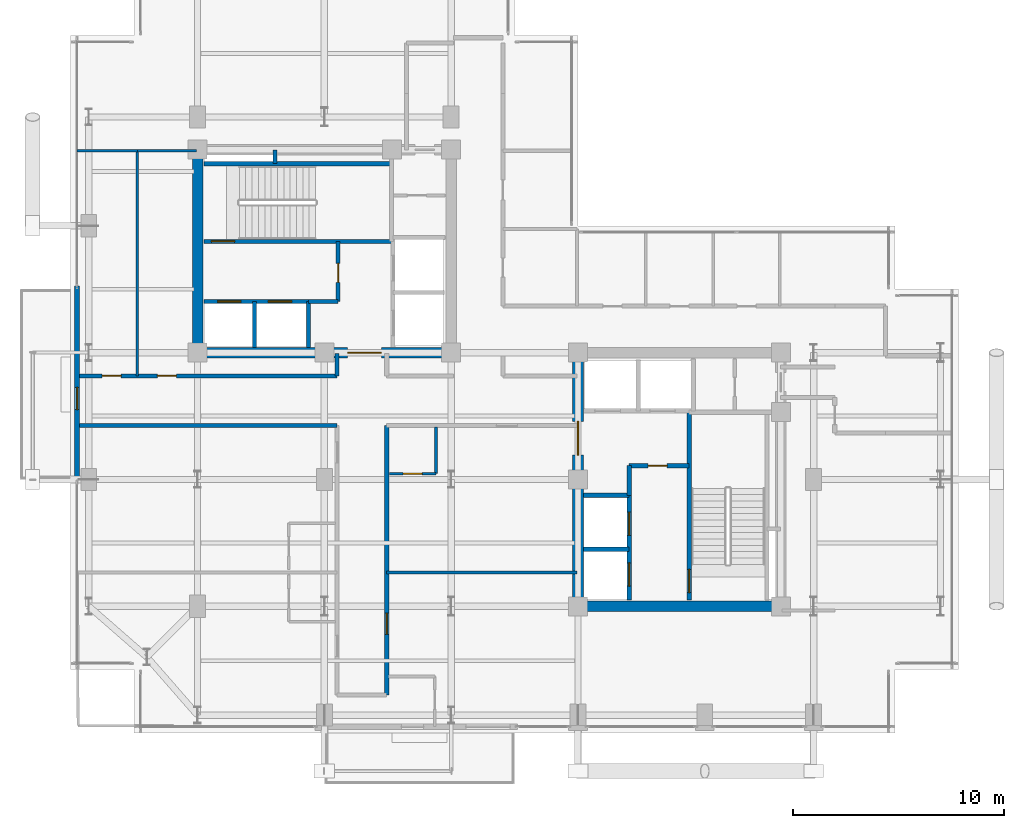
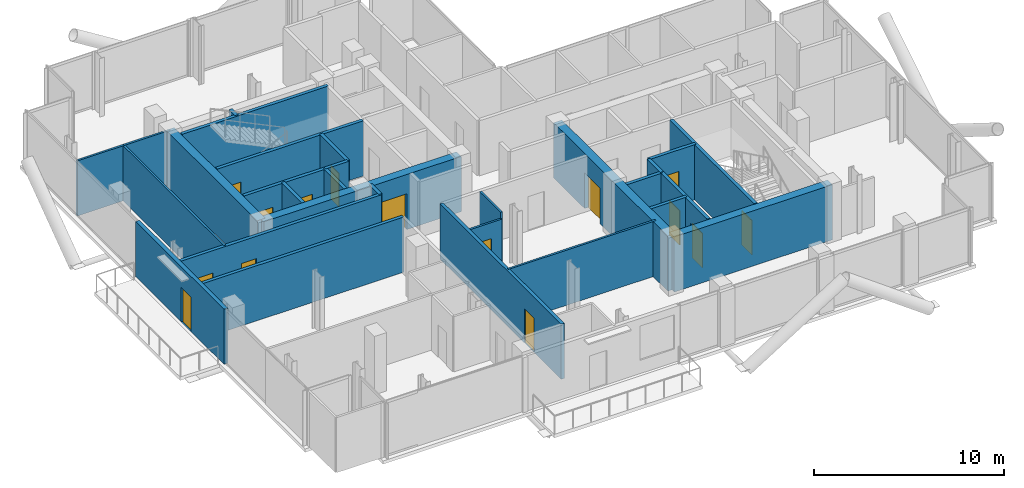
# One storey, part 17 of 21: 29 walls, 15 doors, 15 openings.
"""IFC4 building model written with IfcOpenShell, lengths in metres."""

import ifcopenshell
import ifcopenshell.guid

model = None  # the IFC model being written
_history = None  # IfcOwnerHistory: only IFC2X3 demands one
_inside = {}  # id of a spatial element -> (the spatial element, [elements in it])
_under = {}  # id of a project, library or spatial element -> (it, [spatial elements below it])
_declared = {}  # id of a project -> (the project, [libraries it declares])
_typed = {}  # id of a type object -> (the type object, [elements of that type])
_made_of = {}  # id of a material, layer set ... -> (it, [elements and type objects made of it])


def new_model(schema):
    """Start an empty IFC model of exactly this schema.

    Asked for "IFC4X3", IfcOpenShell would pick the latest addendum, in which some entities
    have other attributes; the version numbers below select the first issue.
    IFC2X3 requires an IfcOwnerHistory on every rooted entity: one is made here for all.
    """
    global model, _history
    if schema == "IFC4X3":
        model = ifcopenshell.file(schema_version=(4, 3, 0, 0))
    else:
        model = ifcopenshell.file(schema=schema)
    _inside.clear()
    _under.clear()
    _declared.clear()
    _typed.clear()
    _made_of.clear()
    _history = None
    if model.schema == "IFC2X3":
        org = make("IfcOrganization", Name="unknown")
        user = make(
            "IfcPersonAndOrganization",
            ThePerson=make("IfcPerson", FamilyName="unknown"),
            TheOrganization=org,
        )
        app = make(
            "IfcApplication",
            ApplicationDeveloper=org,
            Version="unknown",
            ApplicationFullName="unknown",
            ApplicationIdentifier="unknown",
        )
        _history = make(
            "IfcOwnerHistory",
            OwningUser=user,
            OwningApplication=app,
            ChangeAction="ADDED",
            CreationDate=0,
        )
    return model


def make(cls, **values):
    """One entity of the class cls with the attributes given. An attribute that is None is left unset."""
    return model.create_entity(
        cls, **{name: value for name, value in values.items() if value is not None}
    )


def rooted(cls, **values):
    """An entity with a GlobalId (a new one), such as an element, a storey or a relation."""
    return make(cls, GlobalId=ifcopenshell.guid.new(), OwnerHistory=_history, **values)


def si_unit(unit_type, name, prefix=None):
    """IfcSIUnit, for example si_unit("LENGTHUNIT", "METRE", prefix="MILLI")."""
    return make("IfcSIUnit", UnitType=unit_type, Prefix=prefix, Name=name)


def assignment(units):
    """IfcUnitAssignment: the units of a project."""
    return None if units is None else make("IfcUnitAssignment", Units=units)


def point(xyz):
    """IfcCartesianPoint."""
    return None if xyz is None else make("IfcCartesianPoint", Coordinates=xyz)


def direction(xyz):
    """IfcDirection."""
    return None if xyz is None else make("IfcDirection", DirectionRatios=xyz)


def frame(location, z_axis=None, x_axis=None):
    """IfcAxis2Placement3D, a coordinate frame: its origin and axes. An axis left out is left unset."""
    return make(
        "IfcAxis2Placement3D",
        Location=point(location),
        Axis=direction(z_axis),
        RefDirection=direction(x_axis),
    )


def frame_2d(location, x_axis=None):
    """IfcAxis2Placement2D, a coordinate frame in the plane: its origin and x axis."""
    return make(
        "IfcAxis2Placement2D", Location=point(location), RefDirection=direction(x_axis)
    )


def origin():
    """The frame at (0, 0, 0) with its axes left unset."""
    return frame((0.0, 0.0, 0.0))


def place(relative_to, where):
    """IfcLocalPlacement: puts the frame where relative to a parent placement (None: the world)."""
    return make(
        "IfcLocalPlacement", PlacementRelTo=relative_to, RelativePlacement=where
    )


def context(
    kind, dimensions, precision=None, world=None, true_north=None, identifier=None
):
    """IfcGeometricRepresentationContext, for example the 3D "Model" context."""
    return make(
        "IfcGeometricRepresentationContext",
        ContextIdentifier=identifier,
        ContextType=kind,
        CoordinateSpaceDimension=dimensions,
        Precision=precision,
        WorldCoordinateSystem=world,
        TrueNorth=true_north,
    )


def subcontext(parent, identifier, kind, view, scale=None):
    """IfcGeometricRepresentationSubContext, for example "Body" below "Model"."""
    return make(
        "IfcGeometricRepresentationSubContext",
        ContextIdentifier=identifier,
        ContextType=kind,
        ParentContext=parent,
        TargetScale=scale,
        TargetView=view,
    )


def project(units=None, contexts=None):
    """IfcProject with its units and contexts."""
    return rooted(
        "IfcProject",
        Name="project",
        RepresentationContexts=contexts,
        UnitsInContext=assignment(units),
    )


def spatial(cls, under=None, at=None, **own):
    """A site, building, storey or space (cls), placed at a placement, below another one or the project."""
    s = rooted(cls, ObjectPlacement=at, **own)
    if under is not None:
        _under.setdefault(under.id(), (under, []))[1].append(s)
    return s


def profile(cls, at=None, kind="AREA", **sizes):
    """A parametric profile (cls). Its sizes go by their IFC names, for example OverallWidth=200.0."""
    return make(cls, ProfileType=kind, Position=at, **sizes)


def rectangle(**sizes):
    """IfcRectangleProfileDef."""
    return profile("IfcRectangleProfileDef", **sizes)


def extrude(swept, where, along, depth):
    """IfcExtrudedAreaSolid: the profile swept, set in the frame where, extruded along a direction by depth."""
    return make(
        "IfcExtrudedAreaSolid",
        SweptArea=swept,
        Position=where,
        ExtrudedDirection=direction(along),
        Depth=depth,
    )


def shape(context_of_items, identifier, shape_type, items):
    """IfcShapeRepresentation: the items that make up one representation, for example the "Body"."""
    return make(
        "IfcShapeRepresentation",
        ContextOfItems=context_of_items,
        RepresentationIdentifier=identifier,
        RepresentationType=shape_type,
        Items=items,
    )


def material(Name=None, Category=None):
    """IfcMaterial."""
    return make("IfcMaterial", Name=Name, Category=Category)


def layer(
    of_material, thickness, ventilated=None, Name=None, Category=None, Priority=None
):
    """IfcMaterialLayer: one layer of a wall or slab, of a material (None: an air gap)."""
    return make(
        "IfcMaterialLayer",
        Material=of_material,
        LayerThickness=thickness,
        IsVentilated=ventilated,
        Name=Name,
        Category=Category,
        Priority=Priority,
    )


def layer_set(layers, Name=None):
    """IfcMaterialLayerSet."""
    return make("IfcMaterialLayerSet", MaterialLayers=layers, LayerSetName=Name)


def made_of(thing, what):
    """Note that an element or type object is made of a material, layer set ...; save() writes the relation."""
    if what is not None:
        _made_of.setdefault(what.id(), (what, []))[1].append(thing)
    return thing


def type_object(cls, material=None, **own):
    """A type object (cls), such as IfcWallType, which elements share."""
    return made_of(rooted(cls, **own), material)


def element(
    cls,
    number,
    at=None,
    inside=None,
    cuts=None,
    type_object=None,
    material=None,
    context=None,
    identifier="Body",
    shape_type=None,
    held_by="IfcProductDefinitionShape",
    body=None,
    shapes=None,
    **own,
):
    """One element of the class cls, such as IfcWall. Its Tag is "e" and its number.

    at: its placement. inside: the storey or other place that contains it. cuts: it is an
    opening in that element (IfcRelVoidsElement). A single representation is given by context,
    identifier, shape_type and body (its items); several are given by shapes. held_by: the class
    of the entity that holds the representations. save() writes the other relations.
    """
    e = rooted(cls, Tag="e%d" % number, ObjectPlacement=at, **own)
    if body is not None:
        shapes = [shape(context, identifier, shape_type, body)]
    if shapes is not None:
        e.Representation = make(held_by, Representations=shapes)
    if inside is not None:
        _inside.setdefault(inside.id(), (inside, []))[1].append(e)
    if cuts is not None:
        rooted(
            "IfcRelVoidsElement", RelatingBuildingElement=cuts, RelatedOpeningElement=e
        )
    if type_object is not None:
        _typed.setdefault(type_object.id(), (type_object, []))[1].append(e)
    return made_of(e, material)


def fill(opening, filler):
    """IfcRelFillsElement: the door or window that sits in an opening."""
    return rooted(
        "IfcRelFillsElement",
        RelatingOpeningElement=opening,
        RelatedBuildingElement=filler,
    )


def aggregate(whole, parts):
    """IfcRelAggregates: a whole, such as a stair, and the parts it consists of."""
    return rooted("IfcRelAggregates", RelatingObject=whole, RelatedObjects=parts)


def save(model, path):
    """Write the relations noted so far, then the file.

    IfcRelAggregates (storeys below a building ...), IfcRelContainedInSpatialStructure (elements
    in a storey), IfcRelDefinesByType, IfcRelAssociatesMaterial and IfcRelDeclares: one each for
    every whole, place, type object, material and project.
    """
    for whole, parts in _under.values():
        aggregate(whole, parts)
    for where, things in _inside.values():
        rooted(
            "IfcRelContainedInSpatialStructure",
            RelatedElements=things,
            RelatingStructure=where,
        )
    for kind, things in _typed.values():
        rooted("IfcRelDefinesByType", RelatedObjects=things, RelatingType=kind)
    for what, things in _made_of.values():
        rooted("IfcRelAssociatesMaterial", RelatedObjects=things, RelatingMaterial=what)
    for by, libraries in _declared.values():
        rooted("IfcRelDeclares", RelatingContext=by, RelatedDefinitions=libraries)
    model.write(path)


model = new_model("IFC4")

# Units and contexts
model_context = context("Model", 3, precision=1e-05, world=origin(), true_north=direction((0.0, 1.0)))
body_context = subcontext(model_context, "Body", "Model", "MODEL_VIEW")
ifc_project = project(units=[si_unit("LENGTHUNIT", "METRE"), si_unit("AREAUNIT", "SQUARE_METRE"), si_unit("VOLUMEUNIT", "CUBIC_METRE"), si_unit("PLANEANGLEUNIT", "RADIAN"), si_unit("MASSUNIT", "GRAM", prefix="KILO"), si_unit("THERMODYNAMICTEMPERATUREUNIT", "KELVIN"), si_unit("POWERUNIT", "WATT")], contexts=[model_context])

# Site, building, storey
site_placement = place(None, origin())
site = spatial("IfcSite", under=ifc_project, at=site_placement, CompositionType="ELEMENT")
building_placement = place(site_placement, origin())
building = spatial("IfcBuilding", under=site, at=building_placement, Name="Svarakhadi Broadcast Tower", CompositionType="ELEMENT")
storey_placement = place(building_placement, frame((0.0, 0.0, 208.64990234375)))
storey = spatial("IfcBuildingStorey", under=building, at=storey_placement, Name="L51", CompositionType="ELEMENT", Elevation=208.64990234375)

# Wall
ifc_material_1 = material(Name="Double-Stud Acoustic Studio Partition STC-62", Category="gypsum")
ifc_layer_1 = layer(ifc_material_1, 0.199951171875)
ifc_layer_set_1 = layer_set([ifc_layer_1], Name="Double-Stud Acoustic Studio Partition STC-62")
wall_type_1 = type_object("IfcWallType", Name="Wall_Acoust_200", PredefinedType="PARTITIONING", material=ifc_layer_set_1)
wall_1_placement = place(storey_placement, frame((12.60009765625, 14.550048828125, 0.0), z_axis=(0.0, 0.0, 1.0), x_axis=(-1.0, 0.0, 0.0)))
element("IfcWall", 1, at=wall_1_placement, inside=storey, type_object=wall_type_1, Name="L51 Upper Tower Concourse Wall", PredefinedType="PARTITIONING", context=body_context, shape_type="SweptSolid", body=[
    extrude(rectangle(XDim=12.300048828125, YDim=0.199951171875, at=frame_2d((6.14990234375, 0.0))), origin(), (0.0, 0.0, 1.0), 3.5400390625),
])

# Wall, openings, doors
wall_2_placement = place(storey_placement, frame((0.300048828125, 16.89990234375, 0.0), z_axis=(0.0, 0.0, 1.0), x_axis=(1.0, 0.0, 0.0)))
wall_2 = element("IfcWall", 2, at=wall_2_placement, inside=storey, type_object=wall_type_1, Name="L51 Upper Tower Concourse Wall", PredefinedType="PARTITIONING", context=body_context, shape_type="SweptSolid", body=[
    extrude(rectangle(XDim=12.300048828125, YDim=0.199951171875, at=frame_2d((6.14990234375, 0.0))), origin(), (0.0, 0.0, 1.0), 3.5400390625),
])
opening_1_placement = place(wall_2_placement, frame((1.179931640625, 0.0, 0.0)))
opening_1 = element("IfcOpeningElement", 3, at=opening_1_placement, cuts=wall_2, Name="Opening D-15", PredefinedType="OPENING", context=body_context, shape_type="SweptSolid", body=[
    extrude(rectangle(XDim=0.89990234375, YDim=2.10009765625, at=frame_2d((0.449951171875, 1.050048828125))), frame((0.0, 0.10986328125, 0.0), z_axis=(0.0, -1.0, 0.0), x_axis=(1.0, 0.0, 0.0)), (0.0, 0.0, 1.0), 0.219970703125),
])
opening_2_placement = place(wall_2_placement, frame((3.800048828125, 0.0, 0.0)))
opening_2 = element("IfcOpeningElement", 4, at=opening_2_placement, cuts=wall_2, Name="Opening D-14", PredefinedType="OPENING", context=body_context, shape_type="SweptSolid", body=[
    extrude(rectangle(XDim=0.89990234375, YDim=2.10009765625, at=frame_2d((0.449951171875, 1.050048828125))), frame((0.0, 0.10986328125, 0.0), z_axis=(0.0, -1.0, 0.0), x_axis=(1.0, 0.0, 0.0)), (0.0, 0.0, 1.0), 0.219970703125),
])
ifc_material_2 = material(Name="Solid-Core Teak Veneer Acoustic Timber Leaf", Category="wood")
door_type_1 = type_object("IfcDoorType", Name="Door_Int_D14", OperationType="SINGLE_SWING_LEFT", PredefinedType="DOOR", material=ifc_material_2)
door_1_placement = place(opening_2_placement, origin())
door_1 = element("IfcDoor", 5, at=door_1_placement, inside=storey, type_object=door_type_1, Name="L51 Private Study and Library Office Door", OperationType="SINGLE_SWING_LEFT", OverallHeight=2.10009765625, OverallWidth=0.89990234375, PredefinedType="DOOR", context=body_context, shape_type="SweptSolid", body=[
    extrude(rectangle(XDim=0.89990234375, YDim=2.10009765625, at=frame_2d((0.449951171875, 1.050048828125))), frame((0.0, 0.02490234375, 0.0), z_axis=(0.0, -1.0, 0.0), x_axis=(1.0, 0.0, 0.0)), (0.0, 0.0, 1.0), 0.050048828125),
])
fill(opening_2, door_1)
door_type_2 = type_object("IfcDoorType", Name="Door_Int_D15", OperationType="SINGLE_SWING_RIGHT", PredefinedType="DOOR", material=ifc_material_2)
door_2_placement = place(opening_1_placement, origin())
door_2 = element("IfcDoor", 6, at=door_2_placement, inside=storey, type_object=door_type_2, Name="L51 Arabian Sea Panorama Salon Door", OperationType="SINGLE_SWING_RIGHT", OverallHeight=2.10009765625, OverallWidth=0.89990234375, PredefinedType="DOOR", context=body_context, shape_type="SweptSolid", body=[
    extrude(rectangle(XDim=0.89990234375, YDim=2.10009765625, at=frame_2d((0.449951171875, 1.050048828125))), frame((0.0, 0.02490234375, 0.0), z_axis=(0.0, -1.0, 0.0), x_axis=(1.0, 0.0, 0.0)), (0.0, 0.0, 1.0), 0.050048828125),
])
fill(opening_1, door_2)

# Wall
wall_3_placement = place(storey_placement, frame((12.60009765625, 16.89990234375, 0.0), z_axis=(0.0, 0.0, 1.0), x_axis=(0.0, 1.0, 0.0)))
element("IfcWall", 7, at=wall_3_placement, inside=storey, type_object=wall_type_1, Name="L51 Upper Tower Concourse Wall", PredefinedType="PARTITIONING", context=body_context, shape_type="SweptSolid", body=[
    extrude(rectangle(XDim=1.050048828125, YDim=0.199951171875, at=frame_2d((0.52490234375, 0.0))), origin(), (0.0, 0.0, 1.0), 3.5400390625),
])

# Wall, opening, door
wall_4_placement = place(storey_placement, frame((14.949951171875, 14.550048828125, 0.0), z_axis=(0.0, 0.0, 1.0), x_axis=(0.0, -1.0, 0.0)))
wall_4 = element("IfcWall", 8, at=wall_4_placement, inside=storey, type_object=wall_type_1, Name="L51 Upper Tower Concourse Wall", PredefinedType="PARTITIONING", context=body_context, shape_type="SweptSolid", body=[
    extrude(rectangle(XDim=12.75, YDim=0.199951171875, at=frame_2d((6.375, 0.0))), origin(), (0.0, 0.0, 1.0), 3.5400390625),
])
opening_3_placement = place(wall_4_placement, frame((8.875, 0.0, 0.0)))
opening_3 = element("IfcOpeningElement", 9, at=opening_3_placement, cuts=wall_4, Name="Opening D-09", PredefinedType="OPENING", context=body_context, shape_type="SweptSolid", body=[
    extrude(rectangle(XDim=1.0, YDim=2.199951171875, at=frame_2d((0.5, 1.10009765625))), frame((0.0, 0.10986328125, 0.0), z_axis=(0.0, -1.0, 0.0), x_axis=(1.0, 0.0, 0.0)), (0.0, 0.0, 1.0), 0.219970703125),
])
door_type_3 = type_object("IfcDoorType", Name="Door_Suite_D09", OperationType="SINGLE_SWING_RIGHT", PredefinedType="DOOR", material=ifc_material_2)
door_3_placement = place(opening_3_placement, origin())
door_3 = element("IfcDoor", 10, at=door_3_placement, inside=storey, type_object=door_type_3, Name="L51 South Harbour Junior Suite Entrance Door", OperationType="SINGLE_SWING_RIGHT", OverallHeight=2.199951171875, OverallWidth=1.0, PredefinedType="DOOR", context=body_context, shape_type="SweptSolid", body=[
    extrude(rectangle(XDim=1.0, YDim=2.199951171875, at=frame_2d((0.5, 1.10009765625))), frame((0.0, 0.02490234375, 0.0), z_axis=(0.0, -1.0, 0.0), x_axis=(1.0, 0.0, 0.0)), (0.0, 0.0, 1.0), 0.050048828125),
])
fill(opening_3, door_3)

ifc_material_3 = material(Name="Concrete C40/50 (IS 456 M50)", Category="concrete")
ifc_layer_2 = layer(ifc_material_3, 0.239990234375)
ifc_layer_set_2 = layer_set([ifc_layer_2], Name="Concrete C40/50 (IS 456 M50)")
wall_type_2 = type_object("IfcWallType", Name="Wall_Ext_240", PredefinedType="SOLIDWALL", material=ifc_layer_set_2)
wall_5_placement = place(storey_placement, frame((0.300048828125, 11.85498046875, 0.0), z_axis=(0.0, 0.0, 1.0), x_axis=(0.0, 1.0, 0.0)))
wall_5 = element("IfcWall", 11, at=wall_5_placement, inside=storey, type_object=wall_type_2, Name="L51 West Tree Balcony Spandrel Wall", PredefinedType="SOLIDWALL", context=body_context, shape_type="SweptSolid", body=[
    extrude(rectangle(XDim=9.2900390625, YDim=0.239990234375, at=frame_2d((4.64501953125, 0.0))), origin(), (0.0, 0.0, 1.0), 3.5400390625),
])
opening_4_placement = place(wall_5_placement, frame((3.449951171875, 0.0, 0.0)))
opening_4 = element("IfcOpeningElement", 12, at=opening_4_placement, cuts=wall_5, Name="Opening ED-06", PredefinedType="OPENING", context=body_context, shape_type="SweptSolid", body=[
    extrude(rectangle(XDim=1.050048828125, YDim=2.199951171875, at=frame_2d((0.52490234375, 1.10009765625))), frame((0.0, 0.1298828125, 0.0), z_axis=(0.0, -1.0, 0.0), x_axis=(1.0, 0.0, 0.0)), (0.0, 0.0, 1.0), 0.260009765625),
])
ifc_material_4 = material(Name="Anodised Bronze Aluminium AA 6063-T6", Category="aluminium")
door_type_4 = type_object("IfcDoorType", Name="Door_Ext_ED06", OperationType="SINGLE_SWING_RIGHT", PredefinedType="DOOR", material=ifc_material_4)
door_4_placement = place(opening_4_placement, origin())
door_4 = element("IfcDoor", 13, at=door_4_placement, inside=storey, type_object=door_type_4, Name="L51 West Tree Balcony Door", OperationType="SINGLE_SWING_RIGHT", OverallHeight=2.199951171875, OverallWidth=1.050048828125, PredefinedType="DOOR", context=body_context, shape_type="SweptSolid", body=[
    extrude(rectangle(XDim=1.050048828125, YDim=2.199951171875, at=frame_2d((0.52490234375, 1.10009765625))), frame((0.0, 0.02490234375, 0.0), z_axis=(0.0, -1.0, 0.0), x_axis=(1.0, 0.0, 0.0)), (0.0, 0.0, 1.0), 0.050048828125),
])
fill(opening_4, door_4)

# Walls
ifc_layer_3 = layer(ifc_material_3, 0.199951171875)
ifc_layer_set_3 = layer_set([ifc_layer_3], Name="Concrete C40/50 (IS 456 M50)")
wall_type_3 = type_object("IfcWallType", Name="Wall_Fire_200", PredefinedType="SOLIDWALL", material=ifc_layer_set_3)
wall_6_placement = place(storey_placement, frame((9.659912109375, 26.93994140625, 0.0), z_axis=(0.0, 0.0, 1.0), x_axis=(0.0, 1.0, 0.0)))
element("IfcWall", 14, at=wall_6_placement, inside=storey, type_object=wall_type_3, Name="L51 Wet Riser Shaft East Wall", PredefinedType="SOLIDWALL", context=body_context, shape_type="SweptSolid", body=[
    extrude(rectangle(XDim=0.64013671875, YDim=0.199951171875, at=frame_2d((0.320068359375, 0.0))), origin(), (0.0, 0.0, 1.0), 3.5400390625),
])
ifc_material_5 = material(Name="Fire-Rated Moisture-Resistant Gypsum Board Partition", Category="gypsum")
ifc_layer_4 = layer(ifc_material_5, 0.125)
ifc_layer_set_4 = layer_set([ifc_layer_4], Name="Fire-Rated Moisture-Resistant Gypsum Board Partition")
wall_type_4 = type_object("IfcWallType", Name="Wall_Part_125", PredefinedType="PARTITIONING", material=ifc_layer_set_4)
wall_7_placement = place(storey_placement, frame((0.300048828125, 27.550048828125, 0.0), z_axis=(0.0, 0.0, 1.0), x_axis=(1.0, 0.0, 0.0)))
element("IfcWall", 15, at=wall_7_placement, inside=storey, type_object=wall_type_4, Name="L51 Arabian Sea Panorama Salon Wall", PredefinedType="PARTITIONING", context=body_context, shape_type="SweptSolid", body=[
    extrude(rectangle(XDim=2.849853515625, YDim=0.125, at=frame_2d((1.4248046875, 0.0))), origin(), (0.0, 0.0, 1.0), 3.5400390625),
])
wall_8_placement = place(storey_placement, frame((3.14990234375, 16.89990234375, 0.0), z_axis=(0.0, 0.0, 1.0), x_axis=(0.0, 1.0, 0.0)))
element("IfcWall", 16, at=wall_8_placement, inside=storey, type_object=wall_type_4, Name="L51 Arabian Sea Panorama Salon Wall", PredefinedType="PARTITIONING", context=body_context, shape_type="SweptSolid", body=[
    extrude(rectangle(XDim=10.650146484375, YDim=0.125, at=frame_2d((5.3251953125, 0.0))), origin(), (0.0, 0.0, 1.0), 3.5400390625),
])
wall_9_placement = place(storey_placement, frame((3.14990234375, 27.550048828125, 0.0), z_axis=(0.0, 0.0, 1.0), x_axis=(1.0, 0.0, 0.0)))
element("IfcWall", 17, at=wall_9_placement, inside=storey, type_object=wall_type_4, Name="L51 Private Study and Library Office Wall", PredefinedType="PARTITIONING", context=body_context, shape_type="SweptSolid", body=[
    extrude(rectangle(XDim=2.800048828125, YDim=0.125, at=frame_2d((1.39990234375, 0.0))), origin(), (0.0, 0.0, 1.0), 3.5400390625),
])
wall_10_placement = place(storey_placement, frame((14.949951171875, 7.60009765625, 0.0), z_axis=(0.0, 0.0, 1.0), x_axis=(1.0, 0.0, 0.0)))
element("IfcWall", 18, at=wall_10_placement, inside=storey, type_object=wall_type_4, Name="L51 South Harbour Junior Suite Wall", PredefinedType="PARTITIONING", context=body_context, shape_type="SweptSolid", body=[
    extrude(rectangle(XDim=9.0, YDim=0.125, at=frame_2d((4.5, 0.0))), origin(), (0.0, 0.0, 1.0), 3.5400390625),
])

# Wall, opening, door
wall_11_placement = place(storey_placement, frame((15.080078125, 12.27001953125, 0.0), z_axis=(0.0, 0.0, 1.0), x_axis=(1.0, 0.0, 0.0)))
wall_11 = element("IfcWall", 19, at=wall_11_placement, inside=storey, type_object=wall_type_4, Name="L51 Deluxe Harbour Guest Room En-Suite Wall", PredefinedType="PARTITIONING", context=body_context, shape_type="SweptSolid", body=[
    extrude(rectangle(XDim=2.199951171875, YDim=0.125, at=frame_2d((1.10009765625, 0.0))), origin(), (0.0, 0.0, 1.0), 3.132080078125),
])
opening_5_placement = place(wall_11_placement, frame((0.64990234375, 0.0, 0.0)))
opening_5 = element("IfcOpeningElement", 20, at=opening_5_placement, cuts=wall_11, Name="Opening D-12", PredefinedType="OPENING", context=body_context, shape_type="SweptSolid", body=[
    extrude(rectangle(XDim=0.89990234375, YDim=2.10009765625, at=frame_2d((0.449951171875, 1.050048828125))), frame((0.0, 0.072509765625, 0.0), z_axis=(0.0, -1.0, 0.0), x_axis=(1.0, 0.0, 0.0)), (0.0, 0.0, 1.0), 0.14501953125),
])
door_type_5 = type_object("IfcDoorType", Name="Door_WC_D01", OperationType="SINGLE_SWING_LEFT", PredefinedType="DOOR", material=ifc_material_2)
door_5_placement = place(opening_5_placement, origin())
door_5 = element("IfcDoor", 21, at=door_5_placement, inside=storey, type_object=door_type_5, Name="L51 Deluxe Harbour Guest Room En-Suite Door", OperationType="SINGLE_SWING_LEFT", OverallHeight=2.10009765625, OverallWidth=0.89990234375, PredefinedType="DOOR", context=body_context, shape_type="SweptSolid", body=[
    extrude(rectangle(XDim=0.89990234375, YDim=2.10009765625, at=frame_2d((0.449951171875, 1.050048828125))), frame((0.0, 0.02490234375, 0.0), z_axis=(0.0, -1.0, 0.0), x_axis=(1.0, 0.0, 0.0)), (0.0, 0.0, 1.0), 0.050048828125),
])
fill(opening_5, door_5)

# Wall
wall_12_placement = place(storey_placement, frame((17.280029296875, 12.27001953125, 0.0), z_axis=(0.0, 0.0, 1.0), x_axis=(0.0, 1.0, 0.0)))
element("IfcWall", 22, at=wall_12_placement, inside=storey, type_object=wall_type_4, Name="L51 Deluxe Harbour Guest Room En-Suite Wall", PredefinedType="PARTITIONING", context=body_context, shape_type="SweptSolid", body=[
    extrude(rectangle(XDim=2.199951171875, YDim=0.125, at=frame_2d((1.10009765625, 0.0))), origin(), (0.0, 0.0, 1.0), 3.5400390625),
])

# Wall, opening, door
ifc_material_6 = material(Name="Concrete C50/60 (IS 456 M60)", Category="concrete")
ifc_layer_5 = layer(ifc_material_6, 0.199951171875)
ifc_layer_set_5 = layer_set([ifc_layer_5], Name="Concrete C50/60 (IS 456 M60)")
wall_type_5 = type_object("IfcWallType", Name="Wall_Shear_200", PredefinedType="SHEAR", material=ifc_layer_set_5)
wall_13_placement = place(storey_placement, frame((6.300048828125, 23.260009765625, 0.0), z_axis=(0.0, 0.0, 1.0), x_axis=(1.0, 0.0, 0.0)))
wall_13 = element("IfcWall", 23, at=wall_13_placement, inside=storey, type_object=wall_type_5, Name="L51 Stair ST-01 South RC Shaft Wall", PredefinedType="SHEAR", context=body_context, shape_type="SweptSolid", body=[
    extrude(rectangle(XDim=8.8798828125, YDim=0.199951171875, at=frame_2d((4.43994140625, 0.0))), origin(), (0.0, 0.0, 1.0), 3.5400390625),
])
opening_6_placement = place(wall_13_placement, frame((0.35009765625, 0.0, 0.0)))
opening_6 = element("IfcOpeningElement", 24, at=opening_6_placement, cuts=wall_13, Name="Opening D-01", PredefinedType="OPENING", context=body_context, shape_type="SweptSolid", body=[
    extrude(rectangle(XDim=1.10009765625, YDim=2.199951171875, at=frame_2d((0.550048828125, 1.10009765625))), frame((0.0, 0.10986328125, 0.0), z_axis=(0.0, -1.0, 0.0), x_axis=(1.0, 0.0, 0.0)), (0.0, 0.0, 1.0), 0.219970703125),
])
ifc_material_7 = material(Name="Galvanised Powder-Coated Fire-Rated Steel Leaf", Category="steel")
door_type_6 = type_object("IfcDoorType", Name="Door_Stair_D01", OperationType="SINGLE_SWING_LEFT", PredefinedType="DOOR", material=ifc_material_7)
door_6_placement = place(opening_6_placement, origin())
door_6 = element("IfcDoor", 25, at=door_6_placement, inside=storey, type_object=door_type_6, Name="L51 Protected Exit Stair ST-01 Fire Door", OperationType="SINGLE_SWING_LEFT", OverallHeight=2.199951171875, OverallWidth=1.10009765625, PredefinedType="DOOR", context=body_context, shape_type="SweptSolid", body=[
    extrude(rectangle(XDim=1.10009765625, YDim=2.199951171875, at=frame_2d((0.550048828125, 1.10009765625))), frame((0.0, 0.02490234375, 0.0), z_axis=(0.0, -1.0, 0.0), x_axis=(1.0, 0.0, 0.0)), (0.0, 0.0, 1.0), 0.050048828125),
])
fill(opening_6, door_6)

# Wall
wall_14_placement = place(storey_placement, frame((6.300048828125, 26.93994140625, 0.0), z_axis=(0.0, 0.0, 1.0), x_axis=(1.0, 0.0, 0.0)))
element("IfcWall", 26, at=wall_14_placement, inside=storey, type_object=wall_type_5, Name="L51 Stair ST-01 North RC Shaft Wall", PredefinedType="SHEAR", context=body_context, shape_type="SweptSolid", body=[
    extrude(rectangle(XDim=8.8798828125, YDim=0.199951171875, at=frame_2d((4.43994140625, 0.0))), origin(), (0.0, 0.0, 1.0), 3.5400390625),
])

# Wall, opening, door
wall_15_placement = place(storey_placement, frame((29.260009765625, 6.300048828125, 0.0), z_axis=(0.0, 0.0, 1.0), x_axis=(0.0, 1.0, 0.0)))
wall_15 = element("IfcWall", 27, at=wall_15_placement, inside=storey, type_object=wall_type_5, Name="L51 Stair ST-02 West RC Shaft Wall", PredefinedType="SHEAR", context=body_context, shape_type="SweptSolid", body=[
    extrude(rectangle(XDim=8.8798828125, YDim=0.199951171875, at=frame_2d((4.43994140625, 0.0))), origin(), (0.0, 0.0, 1.0), 3.5400390625),
])
opening_7_placement = place(wall_15_placement, frame((0.35009765625, 0.0, 0.0)))
opening_7 = element("IfcOpeningElement", 28, at=opening_7_placement, cuts=wall_15, Name="Opening D-02", PredefinedType="OPENING", context=body_context, shape_type="SweptSolid", body=[
    extrude(rectangle(XDim=1.10009765625, YDim=2.199951171875, at=frame_2d((0.550048828125, 1.10009765625))), frame((0.0, 0.10986328125, 0.0), z_axis=(0.0, -1.0, 0.0), x_axis=(1.0, 0.0, 0.0)), (0.0, 0.0, 1.0), 0.219970703125),
])
door_type_7 = type_object("IfcDoorType", Name="Door_Stair_D02", OperationType="SINGLE_SWING_RIGHT", PredefinedType="DOOR", material=ifc_material_7)
door_7_placement = place(opening_7_placement, origin())
door_7 = element("IfcDoor", 29, at=door_7_placement, inside=storey, type_object=door_type_7, Name="L51 Protected Exit Stair ST-02 Fire Door", OperationType="SINGLE_SWING_RIGHT", OverallHeight=2.199951171875, OverallWidth=1.10009765625, PredefinedType="DOOR", context=body_context, shape_type="SweptSolid", body=[
    extrude(rectangle(XDim=1.10009765625, YDim=2.199951171875, at=frame_2d((0.550048828125, 1.10009765625))), frame((0.0, 0.02490234375, 0.0), z_axis=(0.0, -1.0, 0.0), x_axis=(1.0, 0.0, 0.0)), (0.0, 0.0, 1.0), 0.050048828125),
])
fill(opening_7, door_7)

# Wall, openings, doors
wall_16_placement = place(storey_placement, frame((6.300048828125, 20.419921875, 0.0), z_axis=(0.0, 0.0, 1.0), x_axis=(1.0, 0.0, 0.0)))
wall_16 = element("IfcWall", 30, at=wall_16_placement, inside=storey, type_object=wall_type_5, Name="L51 Firefighting Lift LF-01/02 Shaft Wall", PredefinedType="SHEAR", context=body_context, shape_type="SweptSolid", body=[
    extrude(rectangle(XDim=4.949951171875, YDim=0.199951171875, at=frame_2d((2.47509765625, 0.0))), origin(), (0.0, 0.0, 1.0), 3.5400390625),
])
opening_8_placement = place(wall_16_placement, frame((0.64990234375, 0.0, 0.0)))
opening_8 = element("IfcOpeningElement", 31, at=opening_8_placement, cuts=wall_16, Name="Opening LD-01", PredefinedType="OPENING", context=body_context, shape_type="SweptSolid", body=[
    extrude(rectangle(XDim=1.10009765625, YDim=2.199951171875, at=frame_2d((0.550048828125, 1.10009765625))), frame((0.0, 0.10986328125, 0.0), z_axis=(0.0, -1.0, 0.0), x_axis=(1.0, 0.0, 0.0)), (0.0, 0.0, 1.0), 0.219970703125),
])
opening_9_placement = place(wall_16_placement, frame((3.050048828125, 0.0, 0.0)))
opening_9 = element("IfcOpeningElement", 32, at=opening_9_placement, cuts=wall_16, Name="Opening LD-01", PredefinedType="OPENING", context=body_context, shape_type="SweptSolid", body=[
    extrude(rectangle(XDim=1.10009765625, YDim=2.199951171875, at=frame_2d((0.550048828125, 1.10009765625))), frame((0.0, 0.10986328125, 0.0), z_axis=(0.0, -1.0, 0.0), x_axis=(1.0, 0.0, 0.0)), (0.0, 0.0, 1.0), 0.219970703125),
])
door_type_8 = type_object("IfcDoorType", Name="Door_Lift_LD01", OperationType="SLIDING_TO_LEFT", PredefinedType="DOOR", material=ifc_material_7)
door_8_placement = place(opening_8_placement, origin())
door_8 = element("IfcDoor", 33, at=door_8_placement, inside=storey, type_object=door_type_8, Name="L51 Firefighting Lift LF-01 Landing Door", OperationType="SLIDING_TO_LEFT", OverallHeight=2.199951171875, OverallWidth=1.10009765625, PredefinedType="DOOR", context=body_context, shape_type="SweptSolid", body=[
    extrude(rectangle(XDim=1.10009765625, YDim=2.199951171875, at=frame_2d((0.550048828125, 1.10009765625))), frame((0.0, 0.02490234375, 0.0), z_axis=(0.0, -1.0, 0.0), x_axis=(1.0, 0.0, 0.0)), (0.0, 0.0, 1.0), 0.050048828125),
])
fill(opening_8, door_8)
door_9_placement = place(opening_9_placement, origin())
door_9 = element("IfcDoor", 34, at=door_9_placement, inside=storey, type_object=door_type_8, Name="L51 Firefighting Lift LF-02 Landing Door", OperationType="SLIDING_TO_LEFT", OverallHeight=2.199951171875, OverallWidth=1.10009765625, PredefinedType="DOOR", context=body_context, shape_type="SweptSolid", body=[
    extrude(rectangle(XDim=1.10009765625, YDim=2.199951171875, at=frame_2d((0.550048828125, 1.10009765625))), frame((0.0, 0.02490234375, 0.0), z_axis=(0.0, -1.0, 0.0), x_axis=(1.0, 0.0, 0.0)), (0.0, 0.0, 1.0), 0.050048828125),
])
fill(opening_9, door_9)

# Walls
for number, where, z_axis, x_axis, name in (
    (35, (8.699951171875, 18.25, 0.0), (0.0, 0.0, 1.0), (0.0, 1.0, 0.0), "L51 Firefighting Lift LF-01/02 Divider Wall"),
    (36, (11.25, 18.25, 0.0), (0.0, 0.0, 1.0), (0.0, 1.0, 0.0), "L51 Firefighting Lift LF-02 East Wall"),
):
    element("IfcWall", number, at=place(storey_placement, frame(where, z_axis=z_axis, x_axis=x_axis)), inside=storey, type_object=wall_type_5, Name=name, PredefinedType="SHEAR", context=body_context, shape_type="SweptSolid", body=[
        extrude(rectangle(XDim=2.169921875, YDim=0.199951171875, at=frame_2d((1.0849609375, 0.0))), origin(), (0.0, 0.0, 1.0), 3.5400390625),
    ])
wall_17_placement = place(storey_placement, frame((11.25, 20.419921875, 0.0), z_axis=(0.0, 0.0, 1.0), x_axis=(1.0, 0.0, 0.0)))
element("IfcWall", 37, at=wall_17_placement, inside=storey, type_object=wall_type_5, Name="L51 West Firefighting Lobby South Wall", PredefinedType="SHEAR", context=body_context, shape_type="SweptSolid", body=[
    extrude(rectangle(XDim=1.39990234375, YDim=0.199951171875, at=frame_2d((0.699951171875, 0.0))), origin(), (0.0, 0.0, 1.0), 3.5400390625),
])

# Wall, opening, door
wall_18_placement = place(storey_placement, frame((12.64990234375, 20.419921875, 0.0), z_axis=(0.0, 0.0, 1.0), x_axis=(0.0, 1.0, 0.0)))
wall_18 = element("IfcWall", 38, at=wall_18_placement, inside=storey, type_object=wall_type_5, Name="L51 West Firefighting Lobby East Wall", PredefinedType="SHEAR", context=body_context, shape_type="SweptSolid", body=[
    extrude(rectangle(XDim=2.840087890625, YDim=0.199951171875, at=frame_2d((1.419921875, 0.0))), origin(), (0.0, 0.0, 1.0), 3.5400390625),
])
opening_10_placement = place(wall_18_placement, frame((0.89990234375, 0.0, 0.0)))
opening_10 = element("IfcOpeningElement", 39, at=opening_10_placement, cuts=wall_18, Name="Opening D-03", PredefinedType="OPENING", context=body_context, shape_type="SweptSolid", body=[
    extrude(rectangle(XDim=0.89990234375, YDim=2.14990234375, at=frame_2d((0.449951171875, 1.074951171875))), frame((0.0, 0.10986328125, 0.0), z_axis=(0.0, -1.0, 0.0), x_axis=(1.0, 0.0, 0.0)), (0.0, 0.0, 1.0), 0.219970703125),
])
door_type_9 = type_object("IfcDoorType", Name="Door_Fire_D03", OperationType="SINGLE_SWING_LEFT", PredefinedType="DOOR", material=ifc_material_7)
door_10_placement = place(opening_10_placement, origin())
door_10 = element("IfcDoor", 40, at=door_10_placement, inside=storey, type_object=door_type_9, Name="L51 West Firefighting Lobby Fire Door", OperationType="SINGLE_SWING_LEFT", OverallHeight=2.14990234375, OverallWidth=0.89990234375, PredefinedType="DOOR", context=body_context, shape_type="SweptSolid", body=[
    extrude(rectangle(XDim=0.89990234375, YDim=2.14990234375, at=frame_2d((0.449951171875, 1.074951171875))), frame((0.0, 0.02490234375, 0.0), z_axis=(0.0, -1.0, 0.0), x_axis=(1.0, 0.0, 0.0)), (0.0, 0.0, 1.0), 0.050048828125),
])
fill(opening_10, door_10)

# Wall, openings, doors
wall_19_placement = place(storey_placement, frame((26.419921875, 6.300048828125, 0.0), z_axis=(0.0, 0.0, 1.0), x_axis=(0.0, 1.0, 0.0)))
wall_19 = element("IfcWall", 41, at=wall_19_placement, inside=storey, type_object=wall_type_5, Name="L51 Firefighting Lift LF-03/04 Shaft Wall", PredefinedType="SHEAR", context=body_context, shape_type="SweptSolid", body=[
    extrude(rectangle(XDim=4.949951171875, YDim=0.199951171875, at=frame_2d((2.47509765625, 0.0))), origin(), (0.0, 0.0, 1.0), 3.5400390625),
])
opening_11_placement = place(wall_19_placement, frame((0.64990234375, 0.0, 0.0)))
opening_11 = element("IfcOpeningElement", 42, at=opening_11_placement, cuts=wall_19, Name="Opening LD-01", PredefinedType="OPENING", context=body_context, shape_type="SweptSolid", body=[
    extrude(rectangle(XDim=1.10009765625, YDim=2.199951171875, at=frame_2d((0.550048828125, 1.10009765625))), frame((0.0, 0.10986328125, 0.0), z_axis=(0.0, -1.0, 0.0), x_axis=(1.0, 0.0, 0.0)), (0.0, 0.0, 1.0), 0.219970703125),
])
opening_12_placement = place(wall_19_placement, frame((3.050048828125, 0.0, 0.0)))
opening_12 = element("IfcOpeningElement", 43, at=opening_12_placement, cuts=wall_19, Name="Opening LD-01", PredefinedType="OPENING", context=body_context, shape_type="SweptSolid", body=[
    extrude(rectangle(XDim=1.10009765625, YDim=2.199951171875, at=frame_2d((0.550048828125, 1.10009765625))), frame((0.0, 0.10986328125, 0.0), z_axis=(0.0, -1.0, 0.0), x_axis=(1.0, 0.0, 0.0)), (0.0, 0.0, 1.0), 0.219970703125),
])
door_11_placement = place(opening_11_placement, origin())
door_11 = element("IfcDoor", 44, at=door_11_placement, inside=storey, type_object=door_type_8, Name="L51 Firefighting Lift LF-03 Landing Door", OperationType="SLIDING_TO_LEFT", OverallHeight=2.199951171875, OverallWidth=1.10009765625, PredefinedType="DOOR", context=body_context, shape_type="SweptSolid", body=[
    extrude(rectangle(XDim=1.10009765625, YDim=2.199951171875, at=frame_2d((0.550048828125, 1.10009765625))), frame((0.0, 0.02490234375, 0.0), z_axis=(0.0, -1.0, 0.0), x_axis=(1.0, 0.0, 0.0)), (0.0, 0.0, 1.0), 0.050048828125),
])
fill(opening_11, door_11)
door_12_placement = place(opening_12_placement, origin())
door_12 = element("IfcDoor", 45, at=door_12_placement, inside=storey, type_object=door_type_8, Name="L51 Firefighting Lift LF-04 Landing Door", OperationType="SLIDING_TO_LEFT", OverallHeight=2.199951171875, OverallWidth=1.10009765625, PredefinedType="DOOR", context=body_context, shape_type="SweptSolid", body=[
    extrude(rectangle(XDim=1.10009765625, YDim=2.199951171875, at=frame_2d((0.550048828125, 1.10009765625))), frame((0.0, 0.02490234375, 0.0), z_axis=(0.0, -1.0, 0.0), x_axis=(1.0, 0.0, 0.0)), (0.0, 0.0, 1.0), 0.050048828125),
])
fill(opening_12, door_12)

# Walls
for number, where, z_axis, x_axis, name in (
    (46, (24.25, 8.699951171875, 0.0), (0.0, 0.0, 1.0), (1.0, 0.0, 0.0), "L51 Firefighting Lift LF-03/04 Divider Wall"),
    (47, (24.25, 11.25, 0.0), (0.0, 0.0, 1.0), (1.0, 0.0, 0.0), "L51 Firefighting Lift LF-04 North Wall"),
):
    element("IfcWall", number, at=place(storey_placement, frame(where, z_axis=z_axis, x_axis=x_axis)), inside=storey, type_object=wall_type_5, Name=name, PredefinedType="SHEAR", context=body_context, shape_type="SweptSolid", body=[
        extrude(rectangle(XDim=2.169921875, YDim=0.199951171875, at=frame_2d((1.0849609375, 0.0))), origin(), (0.0, 0.0, 1.0), 3.5400390625),
    ])
wall_20_placement = place(storey_placement, frame((26.419921875, 11.25, 0.0), z_axis=(0.0, 0.0, 1.0), x_axis=(0.0, 1.0, 0.0)))
element("IfcWall", 48, at=wall_20_placement, inside=storey, type_object=wall_type_5, Name="L51 East Firefighting Lobby West Wall", PredefinedType="SHEAR", context=body_context, shape_type="SweptSolid", body=[
    extrude(rectangle(XDim=1.39990234375, YDim=0.199951171875, at=frame_2d((0.699951171875, 0.0))), origin(), (0.0, 0.0, 1.0), 3.5400390625),
])

# Wall, opening, door
wall_21_placement = place(storey_placement, frame((26.419921875, 12.64990234375, 0.0), z_axis=(0.0, 0.0, 1.0), x_axis=(1.0, 0.0, 0.0)))
wall_21 = element("IfcWall", 49, at=wall_21_placement, inside=storey, type_object=wall_type_5, Name="L51 East Firefighting Lobby North Wall", PredefinedType="SHEAR", context=body_context, shape_type="SweptSolid", body=[
    extrude(rectangle(XDim=2.840087890625, YDim=0.199951171875, at=frame_2d((1.419921875, 0.0))), origin(), (0.0, 0.0, 1.0), 3.5400390625),
])
opening_13_placement = place(wall_21_placement, frame((0.89990234375, 0.0, 0.0)))
opening_13 = element("IfcOpeningElement", 50, at=opening_13_placement, cuts=wall_21, Name="Opening D-04", PredefinedType="OPENING", context=body_context, shape_type="SweptSolid", body=[
    extrude(rectangle(XDim=0.89990234375, YDim=2.14990234375, at=frame_2d((0.449951171875, 1.074951171875))), frame((0.0, 0.10986328125, 0.0), z_axis=(0.0, -1.0, 0.0), x_axis=(1.0, 0.0, 0.0)), (0.0, 0.0, 1.0), 0.219970703125),
])
door_type_10 = type_object("IfcDoorType", Name="Door_Fire_D04", OperationType="SINGLE_SWING_RIGHT", PredefinedType="DOOR", material=ifc_material_7)
door_13_placement = place(opening_13_placement, origin())
door_13 = element("IfcDoor", 51, at=door_13_placement, inside=storey, type_object=door_type_10, Name="L51 East Firefighting Lobby Fire Door", OperationType="SINGLE_SWING_RIGHT", OverallHeight=2.14990234375, OverallWidth=0.89990234375, PredefinedType="DOOR", context=body_context, shape_type="SweptSolid", body=[
    extrude(rectangle(XDim=0.89990234375, YDim=2.14990234375, at=frame_2d((0.449951171875, 1.074951171875))), frame((0.0, 0.02490234375, 0.0), z_axis=(0.0, -1.0, 0.0), x_axis=(1.0, 0.0, 0.0)), (0.0, 0.0, 1.0), 0.050048828125),
])
fill(opening_13, door_13)

ifc_layer_6 = layer(ifc_material_6, 0.5)
ifc_layer_set_6 = layer_set([ifc_layer_6], Name="Concrete C50/60 (IS 456 M60)")
wall_type_6 = type_object("IfcWallType", Name="Wall_Shear_500", PredefinedType="SHEAR", material=ifc_layer_set_6)
wall_22_placement = place(storey_placement, frame((6.0, 18.0, 0.0), z_axis=(0.0, 0.0, 1.0), x_axis=(1.0, 0.0, 0.0)))
wall_22 = element("IfcWall", 52, at=wall_22_placement, inside=storey, type_object=wall_type_6, Name="L51 West Core South Shear Wall", PredefinedType="SHEAR", context=body_context, shape_type="SweptSolid", body=[
    extrude(rectangle(XDim=12.0, YDim=0.5, at=frame_2d((6.0, 0.0))), origin(), (0.0, 0.0, 1.0), 3.5400390625),
])
opening_14_placement = place(wall_22_placement, frame((7.10009765625, 0.0, 0.0)))
opening_14 = element("IfcOpeningElement", 53, at=opening_14_placement, cuts=wall_22, Name="Opening D-05", PredefinedType="OPENING", context=body_context, shape_type="SweptSolid", body=[
    extrude(rectangle(XDim=1.60009765625, YDim=2.300048828125, at=frame_2d((0.800048828125, 1.14990234375))), frame((0.0, 0.260009765625, 0.0), z_axis=(0.0, -1.0, 0.0), x_axis=(1.0, 0.0, 0.0)), (0.0, 0.0, 1.0), 0.52001953125),
])
door_type_11 = type_object("IfcDoorType", Name="Door_Lobby_D05", OperationType="DOUBLE_DOOR_SLIDING", PredefinedType="DOOR", material=ifc_material_4)
door_14_placement = place(opening_14_placement, origin())
door_14 = element("IfcDoor", 54, at=door_14_placement, inside=storey, type_object=door_type_11, Name="L51 West Core Passenger Lift Lobby Entrance Door", OperationType="DOUBLE_DOOR_SLIDING", OverallHeight=2.300048828125, OverallWidth=1.60009765625, PredefinedType="DOOR", context=body_context, shape_type="SweptSolid", body=[
    extrude(rectangle(XDim=1.60009765625, YDim=2.300048828125, at=frame_2d((0.800048828125, 1.14990234375))), frame((0.0, 0.02490234375, 0.0), z_axis=(0.0, -1.0, 0.0), x_axis=(1.0, 0.0, 0.0)), (0.0, 0.0, 1.0), 0.050048828125),
])
fill(opening_14, door_14)

# Walls
for number, where, z_axis, x_axis, name in (
    (55, (6.0, 18.0, 0.0), (0.0, 0.0, 1.0), (0.0, 1.0, 0.0), "L51 West Core West Shear Wall"),
    (56, (24.0, 6.0, 0.0), (0.0, 0.0, 1.0), (1.0, 0.0, 0.0), "L51 East Core South Shear Wall"),
):
    element("IfcWall", number, at=place(storey_placement, frame(where, z_axis=z_axis, x_axis=x_axis)), inside=storey, type_object=wall_type_6, Name=name, PredefinedType="SHEAR", context=body_context, shape_type="SweptSolid", body=[
        extrude(rectangle(XDim=9.60009765625, YDim=0.5, at=frame_2d((4.800048828125, 0.0))), origin(), (0.0, 0.0, 1.0), 3.5400390625),
    ])

# Wall, opening, door
wall_23_placement = place(storey_placement, frame((24.0, 6.0, 0.0), z_axis=(0.0, 0.0, 1.0), x_axis=(0.0, 1.0, 0.0)))
wall_23 = element("IfcWall", 57, at=wall_23_placement, inside=storey, type_object=wall_type_6, Name="L51 East Core West Shear Wall", PredefinedType="SHEAR", context=body_context, shape_type="SweptSolid", body=[
    extrude(rectangle(XDim=12.0, YDim=0.5, at=frame_2d((6.0, 0.0))), origin(), (0.0, 0.0, 1.0), 3.5400390625),
])
opening_15_placement = place(wall_23_placement, frame((7.14990234375, 0.0, 0.0)))
opening_15 = element("IfcOpeningElement", 58, at=opening_15_placement, cuts=wall_23, Name="Opening D-05", PredefinedType="OPENING", context=body_context, shape_type="SweptSolid", body=[
    extrude(rectangle(XDim=1.60009765625, YDim=2.300048828125, at=frame_2d((0.800048828125, 1.14990234375))), frame((0.0, 0.260009765625, 0.0), z_axis=(0.0, -1.0, 0.0), x_axis=(1.0, 0.0, 0.0)), (0.0, 0.0, 1.0), 0.52001953125),
])
door_15_placement = place(opening_15_placement, origin())
door_15 = element("IfcDoor", 59, at=door_15_placement, inside=storey, type_object=door_type_11, Name="L51 East Core Passenger Lift Lobby Entrance Door", OperationType="DOUBLE_DOOR_SLIDING", OverallHeight=2.300048828125, OverallWidth=1.60009765625, PredefinedType="DOOR", context=body_context, shape_type="SweptSolid", body=[
    extrude(rectangle(XDim=1.60009765625, YDim=2.300048828125, at=frame_2d((0.800048828125, 1.14990234375))), frame((0.0, 0.02490234375, 0.0), z_axis=(0.0, -1.0, 0.0), x_axis=(1.0, 0.0, 0.0)), (0.0, 0.0, 1.0), 0.050048828125),
])
fill(opening_15, door_15)

save(model, "model.ifc")
